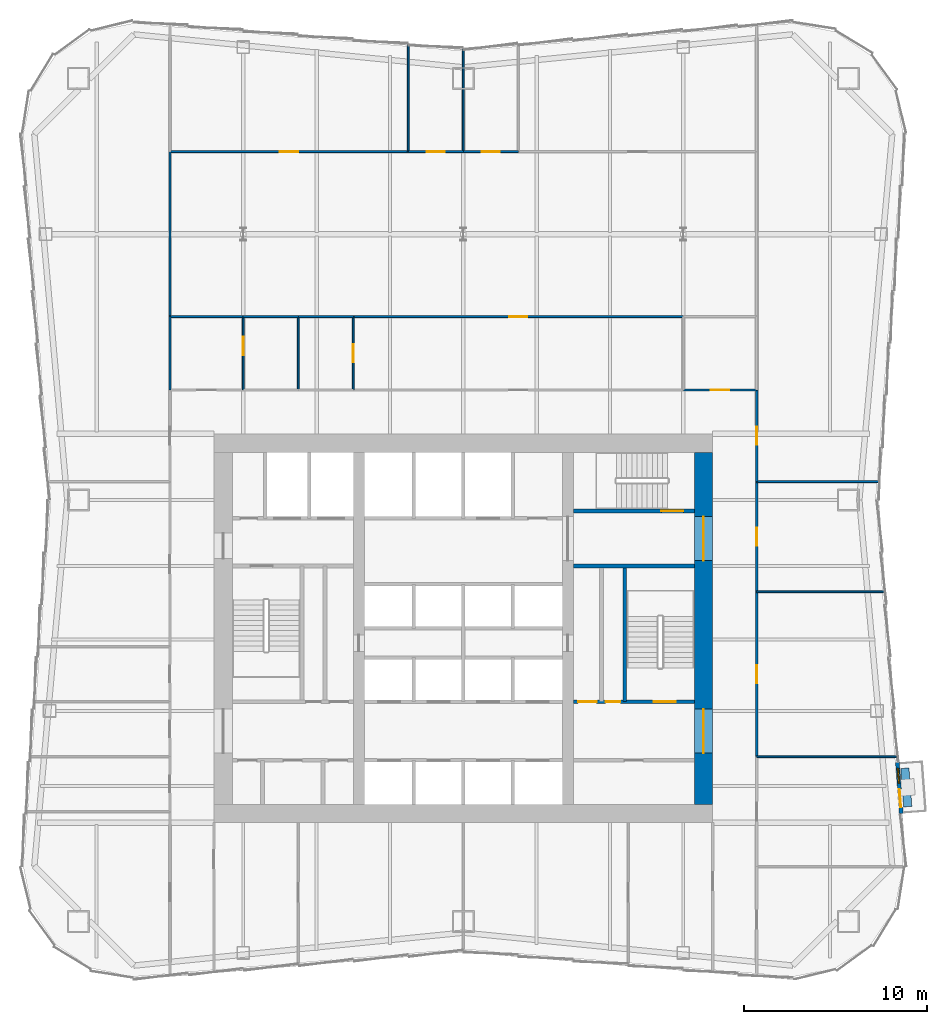
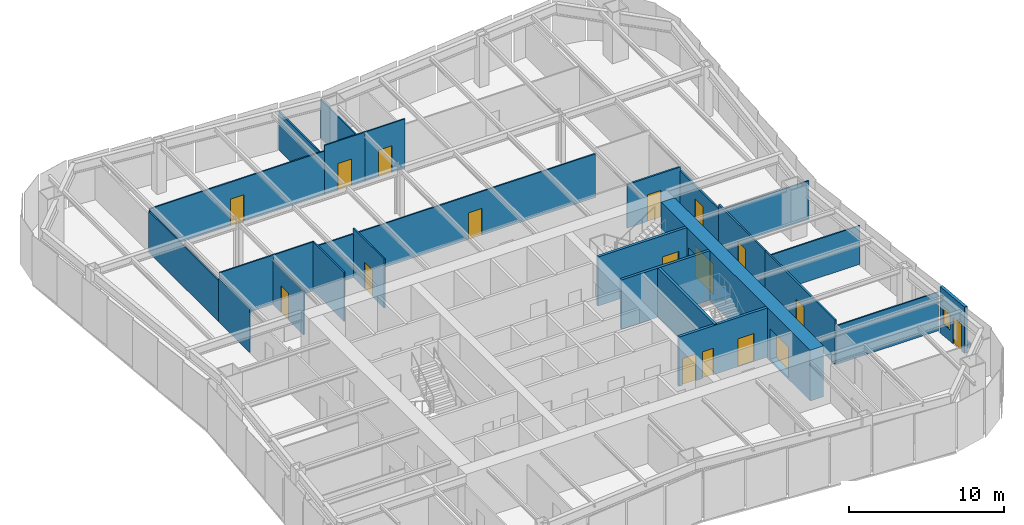
# One storey, part 6 of 9: 28 walls, 17 doors, 1 window, 18 openings.
"""IFC4 building model written with IfcOpenShell, lengths in metres."""

from ifc_helpers import new_model, si_unit, direction, frame, frame_2d, origin, place, context, subcontext, project, spatial, rectangle, extrude, material, layer, layer_set, type_object, element, fill, save


model = new_model("IFC4")

# Units and contexts
model_context = context("Model", 3, precision=1e-05, world=origin(), true_north=direction((0.0, 1.0)))
body_context = subcontext(model_context, "Body", "Model", "MODEL_VIEW")
ifc_project = project(units=[si_unit("LENGTHUNIT", "METRE"), si_unit("AREAUNIT", "SQUARE_METRE"), si_unit("VOLUMEUNIT", "CUBIC_METRE"), si_unit("PLANEANGLEUNIT", "RADIAN"), si_unit("MASSUNIT", "GRAM", prefix="KILO")], contexts=[model_context])

# Site, building, storey
site_placement = place(None, origin())
site = spatial("IfcSite", under=ifc_project, at=site_placement, CompositionType="ELEMENT")
building_placement = place(site_placement, origin())
building = spatial("IfcBuilding", under=site, at=building_placement, Name="Verdant Reach Tower", CompositionType="ELEMENT")
storey_placement = place(building_placement, frame((0.0, 0.0, 130.0)))
storey = spatial("IfcBuildingStorey", under=building, at=storey_placement, Name="L29", CompositionType="ELEMENT", Elevation=130.0)

# Wall, openings, doors
ifc_material_1 = material(Name="Concrete C40/50", Category="concrete")
ifc_layer_1 = layer(ifc_material_1, 0.199951171875)
ifc_layer_set_1 = layer_set([ifc_layer_1], Name="CO-WALL-STAIR")
wall_type_1 = type_object("IfcWallType", Name="CO-WALL-STAIR", PredefinedType="PARTITIONING", material=ifc_layer_set_1)
wall_1_placement = place(storey_placement, frame((6.0, 24.0, 0.0), z_axis=(0.0, 0.0, 1.0), x_axis=(1.0, 0.0, 0.0)))
wall_1 = element("IfcWall", 1, at=wall_1_placement, inside=storey, type_object=wall_type_1, Name="Stair enclosure wall, L29", PredefinedType="PARTITIONING", context=body_context, shape_type="SweptSolid", body=[
    extrude(rectangle(XDim=6.60009765625, YDim=0.199951171875, at=frame_2d((3.300048828125, 0.0))), origin(), (0.0, 0.0, 1.0), 3.8701171875),
])
opening_1_placement = place(wall_1_placement, frame((0.27001953125, 0.0, 0.0)))
opening_1 = element("IfcOpeningElement", 2, at=opening_1_placement, cuts=wall_1, Name="Opening CD", PredefinedType="OPENING", context=body_context, shape_type="SweptSolid", body=[
    extrude(rectangle(XDim=1.0, YDim=2.10009765625, at=frame_2d((0.5, 1.050048828125))), frame((0.0, 0.10986328125, 0.0), z_axis=(0.0, -1.0, 0.0), x_axis=(1.0, 0.0, 0.0)), (0.0, 0.0, 1.0), 0.219970703125),
])
opening_2_placement = place(wall_1_placement, frame((1.77001953125, 0.0, 0.0)))
opening_2 = element("IfcOpeningElement", 3, at=opening_2_placement, cuts=wall_1, Name="Opening CDN", PredefinedType="OPENING", context=body_context, shape_type="SweptSolid", body=[
    extrude(rectangle(XDim=0.800048828125, YDim=2.10009765625, at=frame_2d((0.39990234375, 1.050048828125))), frame((0.0, 0.10986328125, 0.0), z_axis=(0.0, -1.0, 0.0), x_axis=(1.0, 0.0, 0.0)), (0.0, 0.0, 1.0), 0.219970703125),
])
opening_3_placement = place(wall_1_placement, frame((4.39990234375, 0.0, 0.0)))
opening_3 = element("IfcOpeningElement", 4, at=opening_3_placement, cuts=wall_1, Name="Opening SD", PredefinedType="OPENING", context=body_context, shape_type="SweptSolid", body=[
    extrude(rectangle(XDim=1.199951171875, YDim=2.199951171875, at=frame_2d((0.60009765625, 1.10009765625))), frame((0.0, 0.10986328125, 0.0), z_axis=(0.0, -1.0, 0.0), x_axis=(1.0, 0.0, 0.0)), (0.0, 0.0, 1.0), 0.219970703125),
])
ifc_material_2 = material(Name="Timber", Category="wood")
door_type_1 = type_object("IfcDoorType", Name="CO-DOOR-ROOM", OperationType="NOTDEFINED", PredefinedType="DOOR", material=ifc_material_2)
door_1_placement = place(opening_1_placement, origin())
door_1 = element("IfcDoor", 5, at=door_1_placement, inside=storey, type_object=door_type_1, Name="Core room door, L29", OperationType="SINGLE_SWING_RIGHT", OverallHeight=2.10009765625, OverallWidth=1.0, PredefinedType="DOOR", context=body_context, shape_type="SweptSolid", body=[
    extrude(rectangle(XDim=1.0, YDim=2.10009765625, at=frame_2d((0.5, 1.050048828125))), frame((0.0, 0.02490234375, 0.0), z_axis=(0.0, -1.0, 0.0), x_axis=(1.0, 0.0, 0.0)), (0.0, 0.0, 1.0), 0.050048828125),
])
fill(opening_1, door_1)
door_type_2 = type_object("IfcDoorType", Name="CO-DOOR-ROOM-NARROW", OperationType="NOTDEFINED", PredefinedType="DOOR", material=ifc_material_2)
door_2_placement = place(opening_2_placement, origin())
door_2 = element("IfcDoor", 6, at=door_2_placement, inside=storey, type_object=door_type_2, Name="Core room door, L29", OperationType="SINGLE_SWING_LEFT", OverallHeight=2.10009765625, OverallWidth=0.800048828125, PredefinedType="DOOR", context=body_context, shape_type="SweptSolid", body=[
    extrude(rectangle(XDim=0.800048828125, YDim=2.10009765625, at=frame_2d((0.39990234375, 1.050048828125))), frame((0.0, 0.02490234375, 0.0), z_axis=(0.0, -1.0, 0.0), x_axis=(1.0, 0.0, 0.0)), (0.0, 0.0, 1.0), 0.050048828125),
])
fill(opening_2, door_2)
ifc_material_3 = material(Name="Steel", Category="steel")
door_type_3 = type_object("IfcDoorType", Name="CO-DOOR-STAIR", OperationType="NOTDEFINED", PredefinedType="DOOR", material=ifc_material_3)
door_3_placement = place(opening_3_placement, origin())
door_3 = element("IfcDoor", 7, at=door_3_placement, inside=storey, type_object=door_type_3, Name="Stair door, L29", OperationType="SINGLE_SWING_RIGHT", OverallHeight=2.199951171875, OverallWidth=1.199951171875, PredefinedType="DOOR", context=body_context, shape_type="SweptSolid", body=[
    extrude(rectangle(XDim=1.199951171875, YDim=2.199951171875, at=frame_2d((0.60009765625, 1.10009765625))), frame((0.0, 0.02490234375, 0.0), z_axis=(0.0, -1.0, 0.0), x_axis=(1.0, 0.0, 0.0)), (0.0, 0.0, 1.0), 0.050048828125),
])
fill(opening_3, door_3)

# Wall
wall_2_placement = place(storey_placement, frame((6.0, 31.39990234375, 0.0), z_axis=(0.0, 0.0, 1.0), x_axis=(1.0, 0.0, 0.0)))
element("IfcWall", 8, at=wall_2_placement, inside=storey, type_object=wall_type_1, Name="Stair enclosure wall, L29", PredefinedType="PARTITIONING", context=body_context, shape_type="SweptSolid", body=[
    extrude(rectangle(XDim=6.60009765625, YDim=0.199951171875, at=frame_2d((3.300048828125, 0.0))), origin(), (0.0, 0.0, 1.0), 3.8701171875),
])

# Wall, opening, door
wall_3_placement = place(storey_placement, frame((6.0, 34.39990234375, 0.0), z_axis=(0.0, 0.0, 1.0), x_axis=(1.0, 0.0, 0.0)))
wall_3 = element("IfcWall", 9, at=wall_3_placement, inside=storey, type_object=wall_type_1, Name="Stair enclosure wall, L29", PredefinedType="PARTITIONING", context=body_context, shape_type="SweptSolid", body=[
    extrude(rectangle(XDim=6.60009765625, YDim=0.199951171875, at=frame_2d((3.300048828125, 0.0))), origin(), (0.0, 0.0, 1.0), 3.8701171875),
])
opening_4_placement = place(wall_3_placement, frame((4.800048828125, 0.0, 0.0)))
opening_4 = element("IfcOpeningElement", 10, at=opening_4_placement, cuts=wall_3, Name="Opening SD", PredefinedType="OPENING", context=body_context, shape_type="SweptSolid", body=[
    extrude(rectangle(XDim=1.199951171875, YDim=2.199951171875, at=frame_2d((0.60009765625, 1.10009765625))), frame((0.0, 0.10986328125, 0.0), z_axis=(0.0, -1.0, 0.0), x_axis=(1.0, 0.0, 0.0)), (0.0, 0.0, 1.0), 0.219970703125),
])
door_4_placement = place(opening_4_placement, origin())
door_4 = element("IfcDoor", 11, at=door_4_placement, inside=storey, type_object=door_type_3, Name="Stair door, L29", OperationType="SINGLE_SWING_LEFT", OverallHeight=2.199951171875, OverallWidth=1.199951171875, PredefinedType="DOOR", context=body_context, shape_type="SweptSolid", body=[
    extrude(rectangle(XDim=1.199951171875, YDim=2.199951171875, at=frame_2d((0.60009765625, 1.10009765625))), frame((0.0, 0.02490234375, 0.0), z_axis=(0.0, -1.0, 0.0), x_axis=(1.0, 0.0, 0.0)), (0.0, 0.0, 1.0), 0.050048828125),
])
fill(opening_4, door_4)

# Wall
wall_4_placement = place(storey_placement, frame((8.800048828125, 24.0, 0.0), z_axis=(0.0, 0.0, 1.0), x_axis=(0.0, 1.0, 0.0)))
element("IfcWall", 12, at=wall_4_placement, inside=storey, type_object=wall_type_1, Name="Stair enclosure wall, L29", PredefinedType="PARTITIONING", context=body_context, shape_type="SweptSolid", body=[
    extrude(rectangle(XDim=7.39990234375, YDim=0.199951171875, at=frame_2d((3.699951171875, 0.0))), origin(), (0.0, 0.0, 1.0), 3.8701171875),
])

# Wall, openings, door, window
ifc_material_4 = material(Name="Insulated bronze aluminium panel wall", Category="aluminium")
ifc_layer_2 = layer(ifc_material_4, 0.219970703125)
ifc_layer_set_2 = layer_set([ifc_layer_2], Name="EN-INFILL WALL")
wall_type_2 = type_object("IfcWallType", Name="EN-INFILL WALL", PredefinedType="SOLIDWALL", material=ifc_layer_set_2)
wall_5_placement = place(storey_placement, frame((23.888916015625, 17.89697265625, 0.0), z_axis=(0.0, 0.0, 1.0), x_axis=(-0.07478344779, 0.997199797401, 0.0)))
wall_5 = element("IfcWall", 13, at=wall_5_placement, inside=storey, type_object=wall_type_2, Name="External infill wall, balcony bay 1, L29", PredefinedType="SOLIDWALL", context=body_context, shape_type="SweptSolid", body=[
    extrude(rectangle(XDim=2.801025390625, YDim=0.2119140625, at=frame_2d((1.400390625, 0.0))), origin(), (0.0, 0.0, 1.0), 3.64990234375),
])
opening_5_placement = place(wall_5_placement, frame((0.333740234375, 0.0, 0.0)))
opening_5 = element("IfcOpeningElement", 14, at=opening_5_placement, cuts=wall_5, Name="Opening BD1", PredefinedType="OPENING", context=body_context, shape_type="SweptSolid", body=[
    extrude(rectangle(XDim=1.0, YDim=2.10009765625, at=frame_2d((0.5, 1.050048828125))), frame((0.0, 0.115966796875, 0.0), z_axis=(0.0, -1.0, 0.0), x_axis=(1.0, 0.0, 0.0)), (0.0, 0.0, 1.0), 0.23193359375),
])
opening_6_placement = place(wall_5_placement, frame((1.66748046875, 0.0, 0.89990234375)))
opening_6 = element("IfcOpeningElement", 15, at=opening_6_placement, cuts=wall_5, Name="Opening BW1", PredefinedType="OPENING", context=body_context, shape_type="SweptSolid", body=[
    extrude(rectangle(XDim=0.800048828125, YDim=1.199951171875, at=frame_2d((0.39990234375, 0.60009765625))), frame((0.0, 0.115966796875, 0.0), z_axis=(0.0, -1.0, 0.0), x_axis=(1.0, 0.0, 0.0)), (0.0, 0.0, 1.0), 0.23193359375),
])
ifc_material_5 = material(Name="Aluminium framed glazed door", Category="aluminium")
door_type_4 = type_object("IfcDoorType", Name="EN-DOOR BALCONY", OperationType="NOTDEFINED", PredefinedType="DOOR", material=ifc_material_5)
door_5_placement = place(opening_5_placement, origin())
door_5 = element("IfcDoor", 16, at=door_5_placement, inside=storey, type_object=door_type_4, Name="Balcony door 1, L29", OperationType="SINGLE_SWING_LEFT", OverallHeight=2.10009765625, OverallWidth=1.0, PredefinedType="DOOR", context=body_context, shape_type="SweptSolid", body=[
    extrude(rectangle(XDim=1.0, YDim=2.10009765625, at=frame_2d((0.5, 1.050048828125))), frame((0.0, 0.02490234375, 0.0), z_axis=(0.0, -1.0, 0.0), x_axis=(1.0, 0.0, 0.0)), (0.0, 0.0, 1.0), 0.050048828125),
])
fill(opening_5, door_5)
ifc_material_6 = material(Name="Aluminium framed glazing", Category="aluminium")
window_type = type_object("IfcWindowType", Name="EN-WINDOW BALCONY", PartitioningType="SINGLE_PANEL", PredefinedType="WINDOW", material=ifc_material_6)
window_placement = place(opening_6_placement, origin())
window = element("IfcWindow", 17, at=window_placement, inside=storey, type_object=window_type, Name="Balcony window 1, L29", OverallHeight=1.199951171875, OverallWidth=0.800048828125, PartitioningType="SINGLE_PANEL", PredefinedType="WINDOW", context=body_context, shape_type="SweptSolid", body=[
    extrude(rectangle(XDim=0.800048828125, YDim=1.199951171875, at=frame_2d((0.39990234375, 0.60009765625))), frame((0.0, 0.030029296875, 0.0), z_axis=(0.0, -1.0, 0.0), x_axis=(1.0, 0.0, 0.0)), (0.0, 0.0, 1.0), 0.06005859375),
])
fill(opening_6, window)

# Walls
ifc_material_7 = material(Name="Precast concrete C30/37", Category="concrete")
ifc_layer_3 = layer(ifc_material_7, 0.449951171875)
ifc_layer_set_3 = layer_set([ifc_layer_3], Name="EN-PLANTER")
wall_type_3 = type_object("IfcWallType", Name="EN-PLANTER", PredefinedType="USERDEFINED", material=ifc_layer_set_3)
wall_6_placement = place(storey_placement, frame((24.24267578125, 18.2744140625, 0.0), z_axis=(0.0, 0.0, 1.0), x_axis=(-0.074706185882, 0.997205588528, 0.0)))
element("IfcWall", 18, at=wall_6_placement, inside=storey, type_object=wall_type_3, Name="Balcony planter 1, L29", ObjectType="PLANTER", PredefinedType="USERDEFINED", context=body_context, shape_type="SweptSolid", body=[
    extrude(rectangle(XDim=2.101318359375, YDim=0.449951171875, at=frame_2d((1.05078125, 0.0))), origin(), (0.0, 0.0, 1.0), 0.39990234375),
])
ifc_material_8 = material(Name="Gypsum board on steel studs", Category="steel")
ifc_layer_4 = layer(ifc_material_8, 0.10009765625)
ifc_layer_set_4 = layer_set([ifc_layer_4], Name="FL-W1 Partition 100")
wall_type_4 = type_object("IfcWallType", Name="FL-W1 Partition 100", PredefinedType="PARTITIONING", material=ifc_layer_set_4)
wall_7_placement = place(storey_placement, frame((-16.0, 41.0, 0.0), z_axis=(0.0, 0.0, 1.0), x_axis=(0.0, 1.0, 0.0)))
element("IfcWall", 19, at=wall_7_placement, inside=storey, type_object=wall_type_4, Name="Partition 29.24", PredefinedType="PARTITIONING", context=body_context, shape_type="SweptSolid", body=[
    extrude(rectangle(XDim=4.0, YDim=0.10009765625, at=frame_2d((2.0, 0.0))), origin(), (0.0, 0.0, 1.0), 3.43994140625),
])
wall_8_placement = place(storey_placement, frame((-16.0, 45.0, 0.0), z_axis=(0.0, 0.0, 1.0), x_axis=(0.0, 1.0, 0.0)))
element("IfcWall", 20, at=wall_8_placement, inside=storey, type_object=wall_type_4, Name="Partition 29.25", PredefinedType="PARTITIONING", context=body_context, shape_type="SweptSolid", body=[
    extrude(rectangle(XDim=9.0, YDim=0.10009765625, at=frame_2d((4.5, 0.0))), origin(), (0.0, 0.0, 1.0), 3.239990234375),
])
wall_9_placement = place(storey_placement, frame((23.6298828125, 21.0, 0.0), z_axis=(0.0, 0.0, 1.0), x_axis=(-1.0, 0.0, 0.0)))
element("IfcWall", 21, at=wall_9_placement, inside=storey, type_object=wall_type_4, Name="Partition 29.28", PredefinedType="PARTITIONING", context=body_context, shape_type="SweptSolid", body=[
    extrude(rectangle(XDim=7.6298828125, YDim=0.10009765625, at=frame_2d((3.81494140625, 0.0))), origin(), (0.0, 0.0, 1.0), 3.0400390625),
])
wall_10_placement = place(storey_placement, frame((22.955078125, 30.0, 0.0), z_axis=(0.0, 0.0, 1.0), x_axis=(-1.0, 0.0, 0.0)))
element("IfcWall", 22, at=wall_10_placement, inside=storey, type_object=wall_type_4, Name="Partition 29.29", PredefinedType="PARTITIONING", context=body_context, shape_type="SweptSolid", body=[
    extrude(rectangle(XDim=6.955078125, YDim=0.10009765625, at=frame_2d((3.4775390625, 0.0))), origin(), (0.0, 0.0, 1.0), 3.0400390625),
])
wall_11_placement = place(storey_placement, frame((22.655029296875, 36.0, 0.0), z_axis=(0.0, 0.0, 1.0), x_axis=(-1.0, 0.0, 0.0)))
element("IfcWall", 23, at=wall_11_placement, inside=storey, type_object=wall_type_4, Name="Partition 29.30", PredefinedType="PARTITIONING", context=body_context, shape_type="SweptSolid", body=[
    extrude(rectangle(XDim=6.655029296875, YDim=0.10009765625, at=frame_2d((3.32763671875, 0.0))), origin(), (0.0, 0.0, 1.0), 3.0400390625),
])

# Wall, opening, door
wall_12_placement = place(storey_placement, frame((-12.0, 45.0, 0.0), z_axis=(0.0, 0.0, 1.0), x_axis=(0.0, -1.0, 0.0)))
wall_12 = element("IfcWall", 24, at=wall_12_placement, inside=storey, type_object=wall_type_4, Name="Partition 29.37", PredefinedType="PARTITIONING", context=body_context, shape_type="SweptSolid", body=[
    extrude(rectangle(XDim=4.0, YDim=0.10009765625, at=frame_2d((2.0, 0.0))), origin(), (0.0, 0.0, 1.0), 3.43994140625),
])
opening_7_placement = place(wall_12_placement, frame((1.10009765625, 0.0, 0.0)))
opening_7 = element("IfcOpeningElement", 25, at=opening_7_placement, cuts=wall_12, Name="Opening D3", PredefinedType="OPENING", context=body_context, shape_type="SweptSolid", body=[
    extrude(rectangle(XDim=1.0, YDim=2.10009765625, at=frame_2d((0.5, 1.050048828125))), frame((0.0, 0.06005859375, 0.0), z_axis=(0.0, -1.0, 0.0), x_axis=(1.0, 0.0, 0.0)), (0.0, 0.0, 1.0), 0.1201171875),
])
ifc_material_9 = material(Name="Painted timber door leaf", Category="wood")
door_type_5 = type_object("IfcDoorType", Name="FL-D3 Door 1000x2100", OperationType="NOTDEFINED", PredefinedType="DOOR", material=ifc_material_9)
door_6_placement = place(opening_7_placement, origin())
door_6 = element("IfcDoor", 26, at=door_6_placement, inside=storey, type_object=door_type_5, Name="Door 29-019", OperationType="SINGLE_SWING_LEFT", OverallHeight=2.10009765625, OverallWidth=1.0, PredefinedType="DOOR", context=body_context, shape_type="SweptSolid", body=[
    extrude(rectangle(XDim=1.0, YDim=2.10009765625, at=frame_2d((0.5, 1.050048828125))), frame((0.0, 0.02490234375, 0.0), z_axis=(0.0, -1.0, 0.0), x_axis=(1.0, 0.0, 0.0)), (0.0, 0.0, 1.0), 0.050048828125),
])
fill(opening_7, door_6)

# Walls
wall_13_placement = place(storey_placement, frame((-11.99609375, 45.0, 0.0), z_axis=(0.0, 0.0, 1.0), x_axis=(-1.0, 0.0, 0.0)))
element("IfcWall", 27, at=wall_13_placement, inside=storey, type_object=wall_type_4, Name="Partition 29.38", PredefinedType="PARTITIONING", context=body_context, shape_type="SweptSolid", body=[
    extrude(rectangle(XDim=4.00390625, YDim=0.10009765625, at=frame_2d((2.001953125, 0.0))), origin(), (0.0, 0.0, 1.0), 3.8701171875),
])
wall_14_placement = place(storey_placement, frame((-9.0, 41.0, 0.0), z_axis=(0.0, 0.0, 1.0), x_axis=(0.0, 1.0, 0.0)))
element("IfcWall", 28, at=wall_14_placement, inside=storey, type_object=wall_type_4, Name="Partition 29.39", PredefinedType="PARTITIONING", context=body_context, shape_type="SweptSolid", body=[
    extrude(rectangle(XDim=4.0, YDim=0.10009765625, at=frame_2d((2.0, 0.0))), origin(), (0.0, 0.0, 1.0), 3.8701171875),
])
wall_15_placement = place(storey_placement, frame((-8.99609375, 45.0, 0.0), z_axis=(0.0, 0.0, 1.0), x_axis=(-1.0, 0.0, 0.0)))
element("IfcWall", 29, at=wall_15_placement, inside=storey, type_object=wall_type_4, Name="Partition 29.40", PredefinedType="PARTITIONING", context=body_context, shape_type="SweptSolid", body=[
    extrude(rectangle(XDim=3.0078125, YDim=0.10009765625, at=frame_2d((1.50390625, 0.0))), origin(), (0.0, 0.0, 1.0), 3.8701171875),
])

# Wall, opening, door
wall_16_placement = place(storey_placement, frame((-6.0, 41.0, 0.0), z_axis=(0.0, 0.0, 1.0), x_axis=(0.0, 1.0, 0.0)))
wall_16 = element("IfcWall", 30, at=wall_16_placement, inside=storey, type_object=wall_type_4, Name="Partition 29.41", PredefinedType="PARTITIONING", context=body_context, shape_type="SweptSolid", body=[
    extrude(rectangle(XDim=4.0, YDim=0.10009765625, at=frame_2d((2.0, 0.0))), origin(), (0.0, 0.0, 1.0), 3.8701171875),
])
opening_8_placement = place(wall_16_placement, frame((1.5, 0.0, 0.0)))
opening_8 = element("IfcOpeningElement", 31, at=opening_8_placement, cuts=wall_16, Name="Opening D3", PredefinedType="OPENING", context=body_context, shape_type="SweptSolid", body=[
    extrude(rectangle(XDim=1.0, YDim=2.10009765625, at=frame_2d((0.5, 1.050048828125))), frame((0.0, 0.06005859375, 0.0), z_axis=(0.0, -1.0, 0.0), x_axis=(1.0, 0.0, 0.0)), (0.0, 0.0, 1.0), 0.1201171875),
])
door_7_placement = place(opening_8_placement, origin())
door_7 = element("IfcDoor", 32, at=door_7_placement, inside=storey, type_object=door_type_5, Name="Door 29-020", OperationType="SINGLE_SWING_RIGHT", OverallHeight=2.10009765625, OverallWidth=1.0, PredefinedType="DOOR", context=body_context, shape_type="SweptSolid", body=[
    extrude(rectangle(XDim=1.0, YDim=2.10009765625, at=frame_2d((0.5, 1.050048828125))), frame((0.0, 0.02490234375, 0.0), z_axis=(0.0, -1.0, 0.0), x_axis=(1.0, 0.0, 0.0)), (0.0, 0.0, 1.0), 0.050048828125),
])
fill(opening_8, door_7)

# Wall
wall_17_placement = place(storey_placement, frame((-5.99609375, 45.0, 0.0), z_axis=(0.0, 0.0, 1.0), x_axis=(-1.0, 0.0, 0.0)))
element("IfcWall", 33, at=wall_17_placement, inside=storey, type_object=wall_type_4, Name="Partition 29.42", PredefinedType="PARTITIONING", context=body_context, shape_type="SweptSolid", body=[
    extrude(rectangle(XDim=3.0078125, YDim=0.10009765625, at=frame_2d((1.50390625, 0.0))), origin(), (0.0, 0.0, 1.0), 3.43994140625),
])

# Wall, opening, door
wall_18_placement = place(storey_placement, frame((-6.00390625, 45.0, 0.0), z_axis=(0.0, 0.0, 1.0), x_axis=(1.0, 0.0, 0.0)))
wall_18 = element("IfcWall", 34, at=wall_18_placement, inside=storey, type_object=wall_type_4, Name="Partition 29.44", PredefinedType="PARTITIONING", context=body_context, shape_type="SweptSolid", body=[
    extrude(rectangle(XDim=18.0078125, YDim=0.10009765625, at=frame_2d((9.00390625, 0.0))), origin(), (0.0, 0.0, 1.0), 3.43994140625),
])
opening_9_placement = place(wall_18_placement, frame((8.50390625, 0.0, 0.0)))
opening_9 = element("IfcOpeningElement", 35, at=opening_9_placement, cuts=wall_18, Name="Opening D3", PredefinedType="OPENING", context=body_context, shape_type="SweptSolid", body=[
    extrude(rectangle(XDim=1.0, YDim=2.10009765625, at=frame_2d((0.5, 1.050048828125))), frame((0.0, 0.06005859375, 0.0), z_axis=(0.0, -1.0, 0.0), x_axis=(1.0, 0.0, 0.0)), (0.0, 0.0, 1.0), 0.1201171875),
])
door_8_placement = place(opening_9_placement, origin())
door_8 = element("IfcDoor", 36, at=door_8_placement, inside=storey, type_object=door_type_5, Name="Door 29-021", OperationType="SINGLE_SWING_LEFT", OverallHeight=2.10009765625, OverallWidth=1.0, PredefinedType="DOOR", context=body_context, shape_type="SweptSolid", body=[
    extrude(rectangle(XDim=1.0, YDim=2.10009765625, at=frame_2d((0.5, 1.050048828125))), frame((0.0, 0.02490234375, 0.0), z_axis=(0.0, -1.0, 0.0), x_axis=(1.0, 0.0, 0.0)), (0.0, 0.0, 1.0), 0.050048828125),
])
fill(opening_9, door_8)

wall_19_placement = place(storey_placement, frame((-16.0, 54.0, 0.0), z_axis=(0.0, 0.0, 1.0), x_axis=(1.0, 0.0, 0.0)))
wall_19 = element("IfcWall", 37, at=wall_19_placement, inside=storey, type_object=wall_type_4, Name="Partition 29.46", PredefinedType="PARTITIONING", context=body_context, shape_type="SweptSolid", body=[
    extrude(rectangle(XDim=13.0, YDim=0.10009765625, at=frame_2d((6.5, 0.0))), origin(), (0.0, 0.0, 1.0), 3.43994140625),
])
opening_10_placement = place(wall_19_placement, frame((6.0, 0.0, 0.0)))
opening_10 = element("IfcOpeningElement", 38, at=opening_10_placement, cuts=wall_19, Name="Opening D3", PredefinedType="OPENING", context=body_context, shape_type="SweptSolid", body=[
    extrude(rectangle(XDim=1.0, YDim=2.10009765625, at=frame_2d((0.5, 1.050048828125))), frame((0.0, 0.06005859375, 0.0), z_axis=(0.0, -1.0, 0.0), x_axis=(1.0, 0.0, 0.0)), (0.0, 0.0, 1.0), 0.1201171875),
])
door_9_placement = place(opening_10_placement, origin())
door_9 = element("IfcDoor", 39, at=door_9_placement, inside=storey, type_object=door_type_5, Name="Door 29-022", OperationType="SINGLE_SWING_RIGHT", OverallHeight=2.10009765625, OverallWidth=1.0, PredefinedType="DOOR", context=body_context, shape_type="SweptSolid", body=[
    extrude(rectangle(XDim=1.0, YDim=2.10009765625, at=frame_2d((0.5, 1.050048828125))), frame((0.0, 0.02490234375, 0.0), z_axis=(0.0, -1.0, 0.0), x_axis=(1.0, 0.0, 0.0)), (0.0, 0.0, 1.0), 0.050048828125),
])
fill(opening_10, door_9)

wall_20_placement = place(storey_placement, frame((-3.0, 54.0, 0.0), z_axis=(0.0, 0.0, 1.0), x_axis=(1.0, 0.0, 0.0)))
wall_20 = element("IfcWall", 40, at=wall_20_placement, inside=storey, type_object=wall_type_4, Name="Partition 29.47", PredefinedType="PARTITIONING", context=body_context, shape_type="SweptSolid", body=[
    extrude(rectangle(XDim=3.0, YDim=0.10009765625, at=frame_2d((1.5, 0.0))), origin(), (0.0, 0.0, 1.0), 3.8701171875),
])
opening_11_placement = place(wall_20_placement, frame((1.0, 0.0, 0.0)))
opening_11 = element("IfcOpeningElement", 41, at=opening_11_placement, cuts=wall_20, Name="Opening D3", PredefinedType="OPENING", context=body_context, shape_type="SweptSolid", body=[
    extrude(rectangle(XDim=1.0, YDim=2.10009765625, at=frame_2d((0.5, 1.050048828125))), frame((0.0, 0.06005859375, 0.0), z_axis=(0.0, -1.0, 0.0), x_axis=(1.0, 0.0, 0.0)), (0.0, 0.0, 1.0), 0.1201171875),
])
door_10_placement = place(opening_11_placement, origin())
door_10 = element("IfcDoor", 42, at=door_10_placement, inside=storey, type_object=door_type_5, Name="Door 29-023", OperationType="SINGLE_SWING_LEFT", OverallHeight=2.10009765625, OverallWidth=1.0, PredefinedType="DOOR", context=body_context, shape_type="SweptSolid", body=[
    extrude(rectangle(XDim=1.0, YDim=2.10009765625, at=frame_2d((0.5, 1.050048828125))), frame((0.0, 0.02490234375, 0.0), z_axis=(0.0, -1.0, 0.0), x_axis=(1.0, 0.0, 0.0)), (0.0, 0.0, 1.0), 0.050048828125),
])
fill(opening_11, door_10)

wall_21_placement = place(storey_placement, frame((0.0, 54.0, 0.0), z_axis=(0.0, 0.0, 1.0), x_axis=(1.0, 0.0, 0.0)))
wall_21 = element("IfcWall", 43, at=wall_21_placement, inside=storey, type_object=wall_type_4, Name="Partition 29.48", PredefinedType="PARTITIONING", context=body_context, shape_type="SweptSolid", body=[
    extrude(rectangle(XDim=3.0, YDim=0.10009765625, at=frame_2d((1.5, 0.0))), origin(), (0.0, 0.0, 1.0), 3.8701171875),
])
opening_12_placement = place(wall_21_placement, frame((1.0, 0.0, 0.0)))
opening_12 = element("IfcOpeningElement", 44, at=opening_12_placement, cuts=wall_21, Name="Opening D3", PredefinedType="OPENING", context=body_context, shape_type="SweptSolid", body=[
    extrude(rectangle(XDim=1.0, YDim=2.10009765625, at=frame_2d((0.5, 1.050048828125))), frame((0.0, 0.06005859375, 0.0), z_axis=(0.0, -1.0, 0.0), x_axis=(1.0, 0.0, 0.0)), (0.0, 0.0, 1.0), 0.1201171875),
])
door_11_placement = place(opening_12_placement, origin())
door_11 = element("IfcDoor", 45, at=door_11_placement, inside=storey, type_object=door_type_5, Name="Door 29-024", OperationType="SINGLE_SWING_RIGHT", OverallHeight=2.10009765625, OverallWidth=1.0, PredefinedType="DOOR", context=body_context, shape_type="SweptSolid", body=[
    extrude(rectangle(XDim=1.0, YDim=2.10009765625, at=frame_2d((0.5, 1.050048828125))), frame((0.0, 0.02490234375, 0.0), z_axis=(0.0, -1.0, 0.0), x_axis=(1.0, 0.0, 0.0)), (0.0, 0.0, 1.0), 0.050048828125),
])
fill(opening_12, door_11)

# Walls
wall_22_placement = place(storey_placement, frame((-3.0, 54.0, 0.0), z_axis=(0.0, 0.0, 1.0), x_axis=(0.0, 1.0, 0.0)))
element("IfcWall", 46, at=wall_22_placement, inside=storey, type_object=wall_type_4, Name="Partition 29.50", PredefinedType="PARTITIONING", context=body_context, shape_type="SweptSolid", body=[
    extrude(rectangle(XDim=5.830078125, YDim=0.10009765625, at=frame_2d((2.9150390625, 0.0))), origin(), (0.0, 0.0, 1.0), 3.0400390625),
])
wall_23_placement = place(storey_placement, frame((0.0, 54.0, 0.0), z_axis=(0.0, 0.0, 1.0), x_axis=(0.0, 1.0, 0.0)))
element("IfcWall", 47, at=wall_23_placement, inside=storey, type_object=wall_type_4, Name="Partition 29.51", PredefinedType="PARTITIONING", context=body_context, shape_type="SweptSolid", body=[
    extrude(rectangle(XDim=5.580078125, YDim=0.10009765625, at=frame_2d((2.7900390625, 0.0))), origin(), (0.0, 0.0, 1.0), 3.0400390625),
])

# Wall, opening, door
ifc_material_10 = material(Name="Gypsum board on steel studs, fire rated", Category="steel")
ifc_layer_5 = layer(ifc_material_10, 0.125)
ifc_layer_set_5 = layer_set([ifc_layer_5], Name="FL-W2 Corridor wall 125")
wall_type_5 = type_object("IfcWallType", Name="FL-W2 Corridor wall 125", PredefinedType="PARTITIONING", material=ifc_layer_set_5)
wall_24_placement = place(storey_placement, frame((16.0, 30.0, 0.0), z_axis=(0.0, 0.0, 1.0), x_axis=(0.0, -1.0, 0.0)))
wall_24 = element("IfcWall", 48, at=wall_24_placement, inside=storey, type_object=wall_type_5, Name="Partition 29.09", PredefinedType="PARTITIONING", context=body_context, shape_type="SweptSolid", body=[
    extrude(rectangle(XDim=9.0, YDim=0.125, at=frame_2d((4.5, 0.0))), origin(), (0.0, 0.0, 1.0), 3.47998046875),
])
opening_13_placement = place(wall_24_placement, frame((4.0, 0.0, 0.0)))
opening_13 = element("IfcOpeningElement", 49, at=opening_13_placement, cuts=wall_24, Name="Opening D2", PredefinedType="OPENING", context=body_context, shape_type="SweptSolid", body=[
    extrude(rectangle(XDim=1.0, YDim=2.10009765625, at=frame_2d((0.5, 1.050048828125))), frame((0.0, 0.072509765625, 0.0), z_axis=(0.0, -1.0, 0.0), x_axis=(1.0, 0.0, 0.0)), (0.0, 0.0, 1.0), 0.14501953125),
])
ifc_material_11 = material(Name="Timber door leaf, fire rated", Category="wood")
door_type_6 = type_object("IfcDoorType", Name="FL-D2 Entrance door 1000x2100 FD30", OperationType="NOTDEFINED", PredefinedType="DOOR", material=ifc_material_11)
door_12_placement = place(opening_13_placement, origin())
door_12 = element("IfcDoor", 50, at=door_12_placement, inside=storey, type_object=door_type_6, Name="Door 29-009", OperationType="SINGLE_SWING_LEFT", OverallHeight=2.10009765625, OverallWidth=1.0, PredefinedType="DOOR", context=body_context, shape_type="SweptSolid", body=[
    extrude(rectangle(XDim=1.0, YDim=2.10009765625, at=frame_2d((0.5, 1.050048828125))), frame((0.0, 0.02490234375, 0.0), z_axis=(0.0, -1.0, 0.0), x_axis=(1.0, 0.0, 0.0)), (0.0, 0.0, 1.0), 0.050048828125),
])
fill(opening_13, door_12)

wall_25_placement = place(storey_placement, frame((16.0, 36.0, 0.0), z_axis=(0.0, 0.0, 1.0), x_axis=(0.0, -1.0, 0.0)))
wall_25 = element("IfcWall", 51, at=wall_25_placement, inside=storey, type_object=wall_type_5, Name="Partition 29.10", PredefinedType="PARTITIONING", context=body_context, shape_type="SweptSolid", body=[
    extrude(rectangle(XDim=6.0, YDim=0.125, at=frame_2d((3.0, 0.0))), origin(), (0.0, 0.0, 1.0), 3.47998046875),
])
opening_14_placement = place(wall_25_placement, frame((2.5, 0.0, 0.0)))
opening_14 = element("IfcOpeningElement", 52, at=opening_14_placement, cuts=wall_25, Name="Opening D2", PredefinedType="OPENING", context=body_context, shape_type="SweptSolid", body=[
    extrude(rectangle(XDim=1.0, YDim=2.10009765625, at=frame_2d((0.5, 1.050048828125))), frame((0.0, 0.072509765625, 0.0), z_axis=(0.0, -1.0, 0.0), x_axis=(1.0, 0.0, 0.0)), (0.0, 0.0, 1.0), 0.14501953125),
])
door_13_placement = place(opening_14_placement, origin())
door_13 = element("IfcDoor", 53, at=door_13_placement, inside=storey, type_object=door_type_6, Name="Door 29-010", OperationType="SINGLE_SWING_RIGHT", OverallHeight=2.10009765625, OverallWidth=1.0, PredefinedType="DOOR", context=body_context, shape_type="SweptSolid", body=[
    extrude(rectangle(XDim=1.0, YDim=2.10009765625, at=frame_2d((0.5, 1.050048828125))), frame((0.0, 0.02490234375, 0.0), z_axis=(0.0, -1.0, 0.0), x_axis=(1.0, 0.0, 0.0)), (0.0, 0.0, 1.0), 0.050048828125),
])
fill(opening_14, door_13)

wall_26_placement = place(storey_placement, frame((16.0, 41.00390625, 0.0), z_axis=(0.0, 0.0, 1.0), x_axis=(0.0, -1.0, 0.0)))
wall_26 = element("IfcWall", 54, at=wall_26_placement, inside=storey, type_object=wall_type_5, Name="Partition 29.11", PredefinedType="PARTITIONING", context=body_context, shape_type="SweptSolid", body=[
    extrude(rectangle(XDim=5.00390625, YDim=0.125, at=frame_2d((2.501953125, 0.0))), origin(), (0.0, 0.0, 1.0), 3.139892578125),
])
opening_15_placement = place(wall_26_placement, frame((2.001953125, 0.0, 0.0)))
opening_15 = element("IfcOpeningElement", 55, at=opening_15_placement, cuts=wall_26, Name="Opening D2", PredefinedType="OPENING", context=body_context, shape_type="SweptSolid", body=[
    extrude(rectangle(XDim=1.0, YDim=2.10009765625, at=frame_2d((0.5, 1.050048828125))), frame((0.0, 0.072509765625, 0.0), z_axis=(0.0, -1.0, 0.0), x_axis=(1.0, 0.0, 0.0)), (0.0, 0.0, 1.0), 0.14501953125),
])
door_14_placement = place(opening_15_placement, origin())
door_14 = element("IfcDoor", 56, at=door_14_placement, inside=storey, type_object=door_type_6, Name="Door 29-011", OperationType="SINGLE_SWING_LEFT", OverallHeight=2.10009765625, OverallWidth=1.0, PredefinedType="DOOR", context=body_context, shape_type="SweptSolid", body=[
    extrude(rectangle(XDim=1.0, YDim=2.10009765625, at=frame_2d((0.5, 1.050048828125))), frame((0.0, 0.02490234375, 0.0), z_axis=(0.0, -1.0, 0.0), x_axis=(1.0, 0.0, 0.0)), (0.0, 0.0, 1.0), 0.050048828125),
])
fill(opening_15, door_14)

wall_27_placement = place(storey_placement, frame((12.0, 41.0, 0.0), z_axis=(0.0, 0.0, 1.0), x_axis=(1.0, 0.0, 0.0)))
wall_27 = element("IfcWall", 57, at=wall_27_placement, inside=storey, type_object=wall_type_5, Name="Partition 29.18", PredefinedType="PARTITIONING", context=body_context, shape_type="SweptSolid", body=[
    extrude(rectangle(XDim=4.0, YDim=0.125, at=frame_2d((2.0, 0.0))), origin(), (0.0, 0.0, 1.0), 3.43994140625),
])
opening_16_placement = place(wall_27_placement, frame((1.5, 0.0, 0.0)))
opening_16 = element("IfcOpeningElement", 58, at=opening_16_placement, cuts=wall_27, Name="Opening D2", PredefinedType="OPENING", context=body_context, shape_type="SweptSolid", body=[
    extrude(rectangle(XDim=1.0, YDim=2.10009765625, at=frame_2d((0.5, 1.050048828125))), frame((0.0, 0.072509765625, 0.0), z_axis=(0.0, -1.0, 0.0), x_axis=(1.0, 0.0, 0.0)), (0.0, 0.0, 1.0), 0.14501953125),
])
door_15_placement = place(opening_16_placement, origin())
door_15 = element("IfcDoor", 59, at=door_15_placement, inside=storey, type_object=door_type_6, Name="Door 29-016", OperationType="SINGLE_SWING_RIGHT", OverallHeight=2.10009765625, OverallWidth=1.0, PredefinedType="DOOR", context=body_context, shape_type="SweptSolid", body=[
    extrude(rectangle(XDim=1.0, YDim=2.10009765625, at=frame_2d((0.5, 1.050048828125))), frame((0.0, 0.02490234375, 0.0), z_axis=(0.0, -1.0, 0.0), x_axis=(1.0, 0.0, 0.0)), (0.0, 0.0, 1.0), 0.050048828125),
])
fill(opening_16, door_15)

# Wall, openings, doors
ifc_material_12 = material(Name="Concrete C70/85", Category="concrete")
ifc_layer_6 = layer(ifc_material_12, 1.0)
ifc_layer_set_6 = layer_set([ifc_layer_6], Name="ST-CORE-WALL-1000")
wall_type_6 = type_object("IfcWallType", Name="ST-CORE-WALL-1000", PredefinedType="SHEAR", material=ifc_layer_set_6)
wall_28_placement = place(storey_placement, frame((13.10009765625, 18.39990234375, -0.1298828125), z_axis=(0.0, 0.0, 1.0), x_axis=(0.0, 1.0, 0.0)))
wall_28 = element("IfcWall", 60, at=wall_28_placement, inside=storey, type_object=wall_type_6, Name="Core wall E, L29", PredefinedType="SHEAR", context=body_context, shape_type="SweptSolid", body=[
    extrude(rectangle(XDim=19.2001953125, YDim=1.0, at=frame_2d((9.60009765625, 0.0))), origin(), (0.0, 0.0, 1.0), 4.0),
])
opening_17_placement = place(wall_28_placement, frame((2.800048828125, 0.0, 0.1298828125)))
opening_17 = element("IfcOpeningElement", 61, at=opening_17_placement, cuts=wall_28, Name="Opening LB", PredefinedType="OPENING", context=body_context, shape_type="SweptSolid", body=[
    extrude(rectangle(XDim=2.39990234375, YDim=2.39990234375, at=frame_2d((1.199951171875, 1.199951171875))), frame((0.0, 0.510009765625, 0.0), z_axis=(0.0, -1.0, 0.0), x_axis=(1.0, 0.0, 0.0)), (0.0, 0.0, 1.0), 1.02001953125),
])
opening_18_placement = place(wall_28_placement, frame((13.300048828125, 0.0, 0.1298828125)))
opening_18 = element("IfcOpeningElement", 62, at=opening_18_placement, cuts=wall_28, Name="Opening LB", PredefinedType="OPENING", context=body_context, shape_type="SweptSolid", body=[
    extrude(rectangle(XDim=2.39990234375, YDim=2.39990234375, at=frame_2d((1.199951171875, 1.199951171875))), frame((0.0, 0.510009765625, 0.0), z_axis=(0.0, -1.0, 0.0), x_axis=(1.0, 0.0, 0.0)), (0.0, 0.0, 1.0), 1.02001953125),
])
ifc_material_13 = material(Name="Glass and steel", Category="steel")
door_type_7 = type_object("IfcDoorType", Name="CO-DOOR-LOBBY", OperationType="DOUBLE_DOOR_SINGLE_SWING", PredefinedType="DOOR", material=ifc_material_13)
door_16_placement = place(opening_17_placement, origin())
door_16 = element("IfcDoor", 63, at=door_16_placement, inside=storey, type_object=door_type_7, Name="Core entrance door, L29", OperationType="DOUBLE_DOOR_SINGLE_SWING", OverallHeight=2.39990234375, OverallWidth=2.39990234375, PredefinedType="DOOR", context=body_context, shape_type="SweptSolid", body=[
    extrude(rectangle(XDim=2.39990234375, YDim=2.39990234375, at=frame_2d((1.199951171875, 1.199951171875))), frame((0.0, 0.02490234375, 0.0), z_axis=(0.0, -1.0, 0.0), x_axis=(1.0, 0.0, 0.0)), (0.0, 0.0, 1.0), 0.050048828125),
])
fill(opening_17, door_16)
door_17_placement = place(opening_18_placement, origin())
door_17 = element("IfcDoor", 64, at=door_17_placement, inside=storey, type_object=door_type_7, Name="Core entrance door, L29", OperationType="DOUBLE_DOOR_SINGLE_SWING", OverallHeight=2.39990234375, OverallWidth=2.39990234375, PredefinedType="DOOR", context=body_context, shape_type="SweptSolid", body=[
    extrude(rectangle(XDim=2.39990234375, YDim=2.39990234375, at=frame_2d((1.199951171875, 1.199951171875))), frame((0.0, 0.02490234375, 0.0), z_axis=(0.0, -1.0, 0.0), x_axis=(1.0, 0.0, 0.0)), (0.0, 0.0, 1.0), 0.050048828125),
])
fill(opening_18, door_17)

save(model, "model.ifc")
